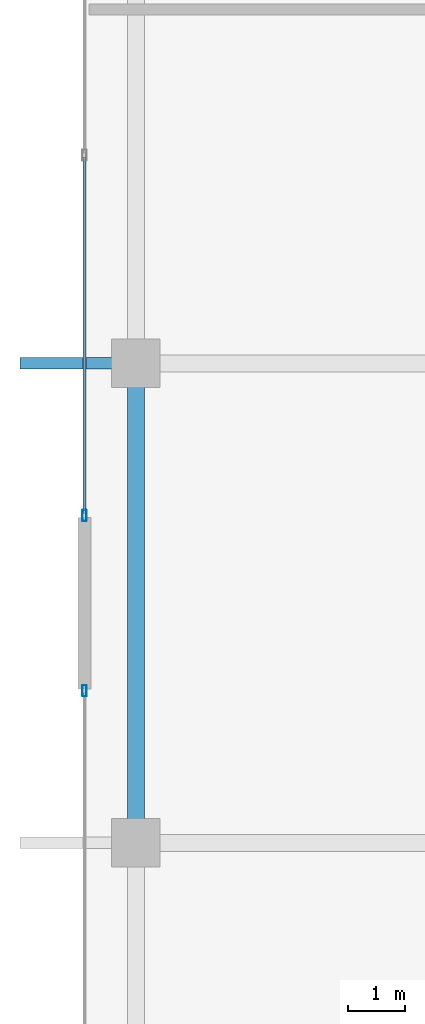
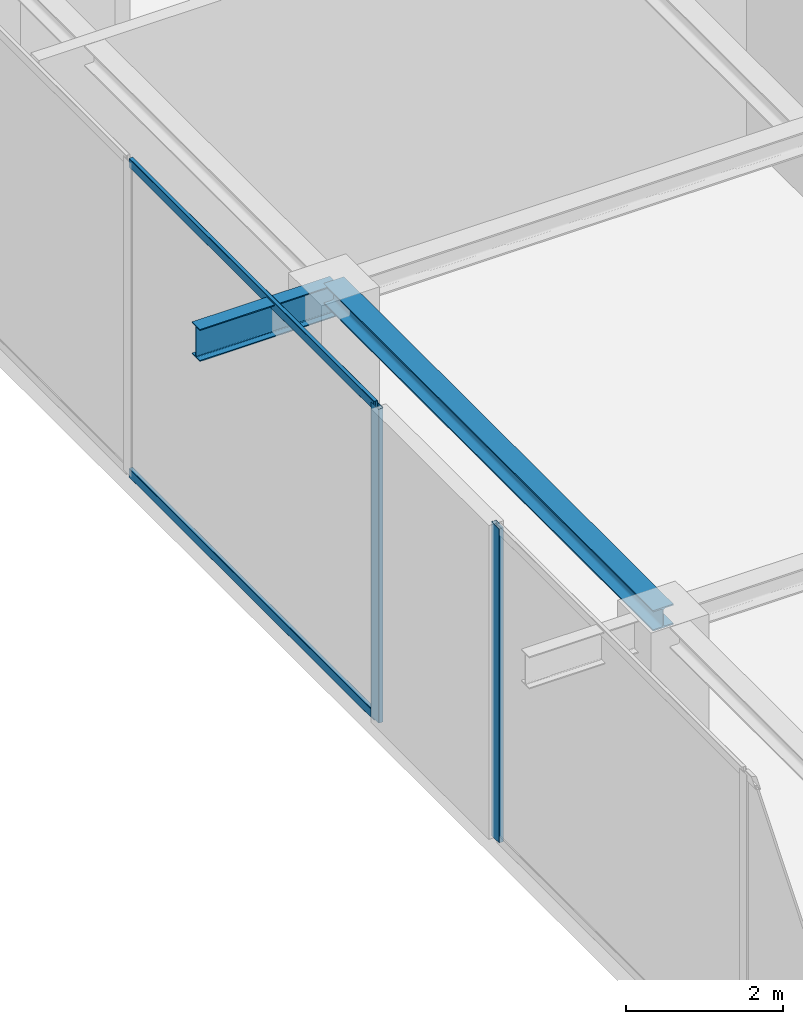
# One storey, part 9 of 27: 4 members, 2 beams, 2 elements without a shape of their own.
"""IFC4 building model written with IfcOpenShell, lengths in metres."""

from ifc_helpers import new_model, si_unit, direction, frame, origin, origin_2d, place, context, subcontext, project, spatial, hollow_rectangle, i_section, extrude, source, transform, mapped, material, layer, layer_set, material_profile, profile_set, type_object, element, aggregate, save


model = new_model("IFC4")

# Units and contexts
model_context = context("Model", 3, precision=1e-05, world=origin(), true_north=direction((0.0, 1.0)))
body_context = subcontext(model_context, "Body", "Model", "MODEL_VIEW")
ifc_project = project(units=[si_unit("LENGTHUNIT", "METRE"), si_unit("AREAUNIT", "SQUARE_METRE"), si_unit("VOLUMEUNIT", "CUBIC_METRE"), si_unit("PLANEANGLEUNIT", "RADIAN"), si_unit("MASSUNIT", "GRAM", prefix="KILO")], contexts=[model_context])

# Site, building, storey
site_placement = place(None, origin())
site = spatial("IfcSite", under=ifc_project, at=site_placement, CompositionType="ELEMENT")
building_placement = place(site_placement, origin())
building = spatial("IfcBuilding", under=site, at=building_placement, Name="Serunith Strait Residences", CompositionType="ELEMENT")
storey_placement = place(building_placement, frame((0.0, 0.0, 365.75)))
storey = spatial("IfcBuildingStorey", under=building, at=storey_placement, Name="L89", CompositionType="ELEMENT", Elevation=365.75)

# Beams
ifc_material_1 = material(Name="Steel S355J2", Category="steel")
ifc_material_profile_1 = material_profile(ifc_material_1, i_section(OverallWidth=0.300048828125, OverallDepth=0.320068359375, WebThickness=0.011474609375, FlangeThickness=0.0205078125, FilletRadius=0.027099609375, at=origin_2d()), Name="HEB 320")
ifc_profile_set_1 = profile_set([ifc_material_profile_1], Name="Steel S355J2")
beam_type_1 = type_object("IfcBeamType", Name="BM-HEB320", PredefinedType="BEAM", material=ifc_profile_set_1)
shared_shape_1 = source(origin(), body_context, "Body", "SweptSolid", [
    extrude(i_section(OverallWidth=0.300048828125, OverallDepth=0.320068359375, WebThickness=0.011474609375, FlangeThickness=0.0205078125, FilletRadius=0.027099609375, at=origin_2d()), origin(), (0.0, 0.0, 1.0), 8.39990234375),
])
beam_1_placement = place(storey_placement, frame((11.699951171875, 29.39990234375, 4.737060546875), z_axis=(0.0, -1.0, 0.0), x_axis=(1.0, 0.0, 0.0)))
element("IfcBeam", 1, at=beam_1_placement, inside=storey, type_object=beam_type_1, Name="L89 Perimeter Ring Beam 14", PredefinedType="BEAM", context=body_context, shape_type="MappedRepresentation", body=[
    mapped(shared_shape_1, transform((0.0, 0.0, 0.0), scale=1.0)),
])
ifc_material_profile_2 = material_profile(ifc_material_1, i_section(OverallWidth=0.199951171875, OverallDepth=0.5, WebThickness=0.01025390625, FlangeThickness=0.01611328125, FilletRadius=0.02099609375, at=origin_2d()), Name="IPE 500")
ifc_profile_set_2 = profile_set([ifc_material_profile_2], Name="Steel S355J2")
beam_type_2 = type_object("IfcBeamType", Name="BM-IPE500", PredefinedType="JOIST", material=ifc_profile_set_2)
shared_shape_2 = source(origin(), body_context, "Body", "SweptSolid", [
    extrude(i_section(OverallWidth=0.199951171875, OverallDepth=0.5, WebThickness=0.01025390625, FlangeThickness=0.01611328125, FilletRadius=0.02099609375, at=origin_2d()), origin(), (0.0, 0.0, 1.0), 2.030029296875),
])
beam_2_placement = place(storey_placement, frame((11.699951171875, 29.39990234375, 4.64697265625), z_axis=(-1.0, 0.0, 0.0), x_axis=(0.0, -1.0, 0.0)))
element("IfcBeam", 2, at=beam_2_placement, inside=storey, type_object=beam_type_2, Name="Crown Canopy Cantilever Rafter TC-W3", PredefinedType="JOIST", context=body_context, shape_type="MappedRepresentation", body=[
    mapped(shared_shape_2, transform((0.0, 0.0, 0.0), scale=1.0)),
])

# Curtain wall, member
ifc_material_2 = material(Name="Pale-Silver Anodised Aluminium", Category="aluminium")
ifc_layer = layer(ifc_material_2, 0.199951171875, Name="Pale-Silver Anodised Aluminium")
ifc_layer_set = layer_set([ifc_layer], Name="Pale-Silver Anodised Aluminium")
curtain_wall_type = type_object("IfcCurtainWallType", Name="CW-SYS7", PredefinedType="NOTDEFINED", material=ifc_layer_set)
curtain_wall_1_placement = place(storey_placement, origin())
curtain_wall_1 = element("IfcCurtainWall", 3, at=curtain_wall_1_placement, inside=storey, type_object=curtain_wall_type, Name="L89 W Unitised Fritted Curtain Wall", PredefinedType="NOTDEFINED")
ifc_material_profile_3 = material_profile(ifc_material_2, hollow_rectangle(XDim=0.072021484375, YDim=0.195068359375, WallThickness=0.00390625, InnerFilletRadius=0.006103515625, OuterFilletRadius=0.010009765625, at=origin_2d()), Name="ALU 195x72x4")
ifc_profile_set_3 = profile_set([ifc_material_profile_3], Name="Pale-Silver Anodised Aluminium")
member_type_1 = type_object("IfcMemberType", Name="CW-SYS7-MULL", PredefinedType="MULLION", material=ifc_profile_set_3)
shared_shape_3 = source(origin(), body_context, "Body", "SweptSolid", [
    extrude(hollow_rectangle(XDim=0.072021484375, YDim=0.195068359375, WallThickness=0.00390625, InnerFilletRadius=0.006103515625, OuterFilletRadius=0.010009765625, at=origin_2d()), origin(), (0.0, 0.0, 1.0), 4.885009765625),
])
member_1_placement = place(storey_placement, frame((10.800048828125, 26.736083984375, 0.0), z_axis=(0.0, 0.0, 1.0), x_axis=(1.0, 0.0, 0.0)))
member_1 = element("IfcMember", 4, at=member_1_placement, type_object=member_type_1, Name="CW-7 mullion 3", PredefinedType="MULLION", context=body_context, shape_type="MappedRepresentation", body=[
    mapped(shared_shape_3, transform((0.0, 0.0, 0.0), scale=1.0)),
])

curtain_wall_2_placement = place(storey_placement, origin())
curtain_wall_2 = element("IfcCurtainWall", 5, at=curtain_wall_2_placement, inside=storey, type_object=curtain_wall_type, Name="L89 W Unitised Fritted Curtain Wall", PredefinedType="NOTDEFINED")
member_2_placement = place(storey_placement, frame((10.800048828125, 23.6640625, 0.0), z_axis=(0.0, 0.0, 1.0), x_axis=(1.0, 0.0, 0.0)))
member_2 = element("IfcMember", 6, at=member_2_placement, type_object=member_type_1, Name="CW-7 mullion 1", PredefinedType="MULLION", context=body_context, shape_type="MappedRepresentation", body=[
    mapped(shared_shape_3, transform((0.0, 0.0, 0.0), scale=1.0)),
])
aggregate(curtain_wall_2, [member_2])

# Member
ifc_material_profile_4 = material_profile(ifc_material_2, hollow_rectangle(XDim=0.06005859375, YDim=0.139892578125, WallThickness=0.00341796875, InnerFilletRadius=0.00537109375, OuterFilletRadius=0.0087890625, at=origin_2d()), Name="ALU 140x60x3.5")
ifc_profile_set_4 = profile_set([ifc_material_profile_4], Name="Pale-Silver Anodised Aluminium")
member_type_2 = type_object("IfcMemberType", Name="CW-SYS7-TRAN", PredefinedType="USERDEFINED", material=ifc_profile_set_4)
shared_shape_4 = source(origin(), body_context, "Body", "SweptSolid", [
    extrude(hollow_rectangle(XDim=0.06005859375, YDim=0.139892578125, WallThickness=0.00341796875, InnerFilletRadius=0.00537109375, OuterFilletRadius=0.0087890625, at=origin_2d()), origin(), (0.0, 0.0, 1.0), 6.241943359375),
])
member_3_placement = place(storey_placement, frame((10.800048828125, 33.013916015625, 0.030029296875), z_axis=(0.0, -1.0, 0.0), x_axis=(1.0, 0.0, 0.0)))
member_3 = element("IfcMember", 7, at=member_3_placement, type_object=member_type_2, Name="CW-7 transom 2.1", ObjectType="TRANSOM", PredefinedType="USERDEFINED", context=body_context, shape_type="MappedRepresentation", body=[
    mapped(shared_shape_4, transform((0.0, 0.0, 0.0), scale=1.0)),
])

member_4_placement = place(storey_placement, frame((10.800048828125, 33.013916015625, 4.85498046875), z_axis=(0.0, -1.0, 0.0), x_axis=(1.0, 0.0, 0.0)))
member_4 = element("IfcMember", 8, at=member_4_placement, type_object=member_type_2, Name="CW-7 transom 2.2", ObjectType="TRANSOM", PredefinedType="USERDEFINED", context=body_context, shape_type="MappedRepresentation", body=[
    mapped(shared_shape_4, transform((0.0, 0.0, 0.0), scale=1.0)),
])

aggregate(curtain_wall_1, [member_1, member_3, member_4])

save(model, "model.ifc")
